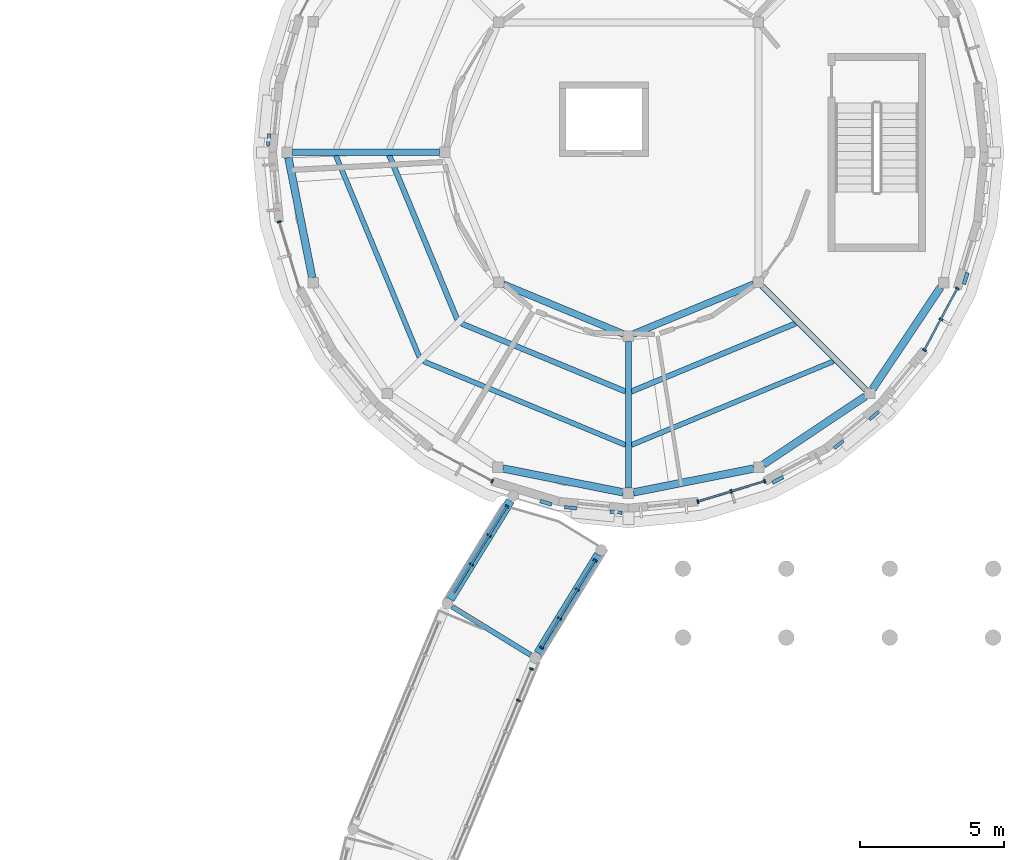
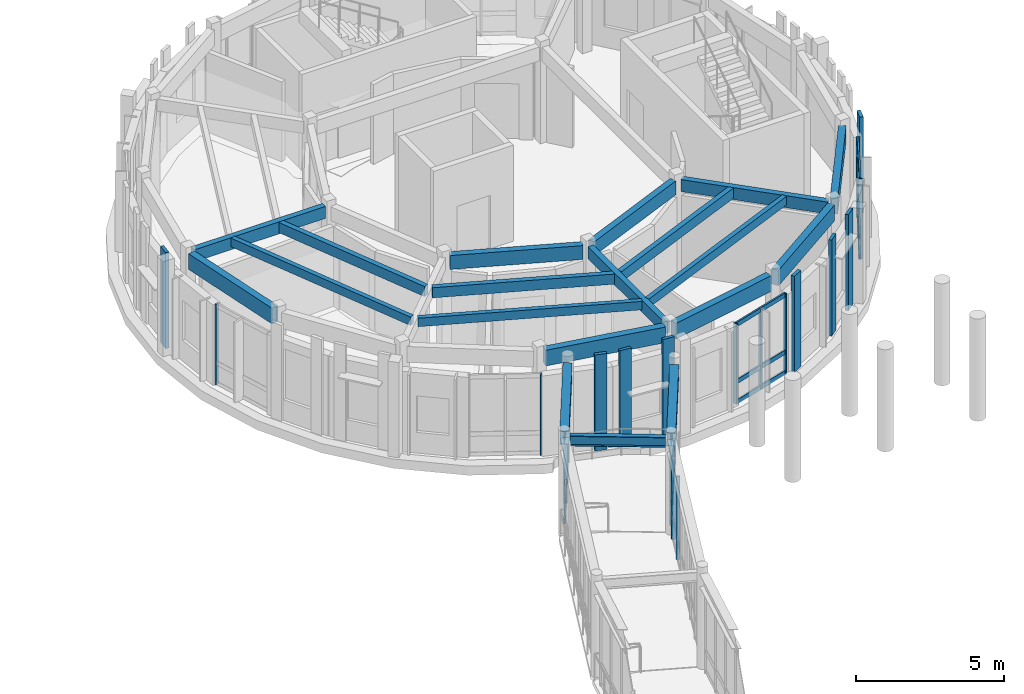
# One storey, part 28 of 80: 37 members, 19 beams, 7 elements without a shape of their own.
"""IFC4 building model written with IfcOpenShell, lengths in metres."""

from ifc_helpers import new_model, si_unit, direction, frame, origin, origin_2d, place, context, subcontext, project, spatial, rectangle, i_section, extrude, material, layer, layer_set, material_profile, profile_set, type_object, element, aggregate, save


model = new_model("IFC4")

# Units and contexts
model_context = context("Model", 3, precision=1e-05, world=origin(), true_north=direction((0.0, 1.0)))
body_context = subcontext(model_context, "Body", "Model", "MODEL_VIEW")
ifc_project = project(units=[si_unit("LENGTHUNIT", "METRE"), si_unit("AREAUNIT", "SQUARE_METRE"), si_unit("VOLUMEUNIT", "CUBIC_METRE"), si_unit("PLANEANGLEUNIT", "RADIAN"), si_unit("MASSUNIT", "GRAM", prefix="KILO")], contexts=[model_context])

# Site, building, storey
site_placement = place(None, origin())
site = spatial("IfcSite", under=ifc_project, at=site_placement, CompositionType="ELEMENT")
building_placement = place(site_placement, origin())
building = spatial("IfcBuilding", under=site, at=building_placement, Name="Aldenvaro Health Centre", CompositionType="ELEMENT")
storey_placement = place(building_placement, frame((0.0, 0.0, 4.550048828125)))
storey = spatial("IfcBuildingStorey", under=building, at=storey_placement, Name="L01", CompositionType="ELEMENT", Elevation=4.550048828125)

# Beams
ifc_material_1 = material(Name="Glulam GL28h", Category="wood")
ifc_material_profile_1 = material_profile(ifc_material_1, rectangle(XDim=0.175048828125, YDim=0.35009765625, at=origin_2d()), Name="GL 175x350", Category="wood")
ifc_profile_set_1 = profile_set([ifc_material_profile_1], Name="Glulam GL28h")
beam_type_1 = type_object("IfcBeamType", Name="BM-GL-350", PredefinedType="JOIST", material=ifc_profile_set_1)
for number, where, z_axis, x_axis, name in (
    (1, (144.304931640625, 99.40087890625, 3.780029296875), (0.382732904244, -0.923859039036, 0.0), (0.923859039036, 0.382732904244, 0.0), "D2 L01 secondary joist 03.2"),
    (2, (147.362060546875, 92.220947265625, 3.780029296875), (0.923859039036, -0.382732904244, 0.0), (0.382732904244, 0.923859039036, 0.0), "D2 L01 secondary joist 04.2"),
    (3, (154.59912109375, 89.304931640625, 3.780029296875), (0.923859039036, 0.382732904244, 0.0), (-0.382732904244, 0.923859039036, 0.0), "D2 L01 secondary joist 05.2"),
):
    element("IfcBeam", number, at=place(storey_placement, frame(where, z_axis=z_axis, x_axis=x_axis)), inside=storey, type_object=beam_type_1, Name=name, PredefinedType="JOIST", context=body_context, shape_type="SweptSolid", body=[
        extrude(rectangle(XDim=0.175048828125, YDim=0.35009765625, at=origin_2d()), origin(), (0.0, 0.0, 1.0), 7.618896484375),
    ])
ifc_material_profile_2 = material_profile(ifc_material_1, rectangle(XDim=0.18994140625, YDim=0.41796875, at=origin_2d()), Name="GL 190x418", Category="wood")
ifc_profile_set_2 = profile_set([ifc_material_profile_2], Name="Glulam GL28h")
beam_type_2 = type_object("IfcBeamType", Name="BM-GL-418", PredefinedType="JOIST", material=ifc_profile_set_2)
for number, where, z_axis, x_axis, name in (
    (4, (146.16796875, 99.40087890625, 3.745849609375), (0.382820589001, -0.923822708444, 0.0), (0.923822708444, 0.382820589001, 0.0), "D2 L01 secondary joist 03.1"),
    (5, (148.678955078125, 93.5390625, 3.745849609375), (0.923822708444, -0.382820589001, 0.0), (0.382820589001, 0.923822708444, 0.0), "D2 L01 secondary joist 04.1"),
    (6, (154.59912109375, 91.16796875, 3.745849609375), (0.923822708444, 0.382820589001, 0.0), (-0.382820589001, 0.923822708444, 0.0), "D2 L01 secondary joist 05.1"),
):
    element("IfcBeam", number, at=place(storey_placement, frame(where, z_axis=z_axis, x_axis=x_axis)), inside=storey, type_object=beam_type_2, Name=name, PredefinedType="JOIST", context=body_context, shape_type="SweptSolid", body=[
        extrude(rectangle(XDim=0.18994140625, YDim=0.41796875, at=origin_2d()), origin(), (0.0, 0.0, 1.0), 6.19384765625),
    ])
ifc_material_profile_3 = material_profile(ifc_material_1, rectangle(XDim=0.215087890625, YDim=0.493896484375, at=origin_2d()), Name="GL 215x494", Category="wood")
ifc_profile_set_3 = profile_set([ifc_material_profile_3], Name="Glulam GL28h")
beam_type_3 = type_object("IfcBeamType", Name="BM-GL-494", PredefinedType="BEAM", material=ifc_profile_set_3)
for number, where, z_axis, x_axis, name in (
    (7, (147.9169921875, 99.5, 3.7080078125), (-1.0, 0.0, 0.0), (0.0, -1.0, 0.0), "D2 L01 radial beam 03"),
    (8, (154.5, 92.9169921875, 3.7080078125), (0.0, -1.0, 0.0), (1.0, 0.0, 0.0), "D2 L01 radial beam 05"),
):
    element("IfcBeam", number, at=place(storey_placement, frame(where, z_axis=z_axis, x_axis=x_axis)), inside=storey, type_object=beam_type_3, Name=name, PredefinedType="BEAM", context=body_context, shape_type="SweptSolid", body=[
        extrude(rectangle(XDim=0.215087890625, YDim=0.493896484375, at=origin_2d()), origin(), (0.0, 0.0, 1.0), 5.114013671875),
    ])
beam_1_placement = place(storey_placement, frame((159.154052734375, 94.845947265625, 3.7080078125), z_axis=(0.707106781187, -0.707106781187, 0.0), x_axis=(0.707106781187, 0.707106781187, 0.0)))
element("IfcBeam", 9, at=beam_1_placement, inside=storey, type_object=beam_type_3, Name="D2 L01 radial beam 06", PredefinedType="BEAM", context=body_context, shape_type="SweptSolid", body=[
    extrude(rectangle(XDim=0.215087890625, YDim=0.493896484375, at=origin_2d()), origin(), (0.0, 0.0, 1.0), 5.115234375),
])
ifc_material_profile_4 = material_profile(ifc_material_1, rectangle(XDim=0.239990234375, YDim=0.570068359375, at=origin_2d()), Name="GL 240x570", Category="wood")
ifc_profile_set_4 = profile_set([ifc_material_profile_4], Name="Glulam GL28h")
beam_type_4 = type_object("IfcBeamType", Name="BM-GL-570", PredefinedType="BEAM", material=ifc_profile_set_4)
for number, where, z_axis, x_axis, name in (
    (10, (150.14404296875, 94.905029296875, 3.669921875), (0.923817864667, -0.382832277795, 0.0), (0.382832277795, 0.923817864667, 0.0), "D2 L01 inner ring beam 04"),
    (11, (154.6689453125, 93.169921875, 3.669921875), (0.923817864667, 0.382832277795, 0.0), (-0.382832277795, 0.923817864667, 0.0), "D2 L01 inner ring beam 05"),
):
    element("IfcBeam", number, at=place(storey_placement, frame(where, z_axis=z_axis, x_axis=x_axis)), inside=storey, type_object=beam_type_4, Name=name, PredefinedType="BEAM", context=body_context, shape_type="SweptSolid", body=[
        extrude(rectangle(XDim=0.239990234375, YDim=0.570068359375, at=origin_2d()), origin(), (0.0, 0.0, 1.0), 4.5322265625),
    ])
ifc_material_profile_5 = material_profile(ifc_material_1, rectangle(XDim=0.264892578125, YDim=0.64599609375, at=origin_2d()), Name="GL 265x646", Category="wood")
ifc_profile_set_5 = profile_set([ifc_material_profile_5], Name="Glulam GL28h")
beam_type_5 = type_object("IfcBeamType", Name="BM-GL-646", PredefinedType="SPANDREL", material=ifc_profile_set_5)
for number, where, z_axis, x_axis, name in (
    (12, (142.656005859375, 99.321044921875, 3.6318359375), (0.19486245827, -0.980830577805, 0.0), (0.980830577805, 0.19486245827, 0.0), "D2 L01 perimeter spandrel 09"),
    (13, (150.133056640625, 88.488037109375, 3.6318359375), (0.980830577805, -0.19486245827, 0.0), (0.19486245827, 0.980830577805, 0.0), "D2 L01 perimeter spandrel 12"),
    (14, (154.678955078125, 87.656005859375, 3.6318359375), (0.980830577805, 0.19486245827, 0.0), (-0.19486245827, 0.980830577805, 0.0), "D2 L01 perimeter spandrel 13"),
):
    element("IfcBeam", number, at=place(storey_placement, frame(where, z_axis=z_axis, x_axis=x_axis)), inside=storey, type_object=beam_type_5, Name=name, PredefinedType="SPANDREL", context=body_context, shape_type="SweptSolid", body=[
        extrude(rectangle(XDim=0.264892578125, YDim=0.64599609375, at=origin_2d()), origin(), (0.0, 0.0, 1.0), 4.269775390625),
    ])
for number, where, z_axis, x_axis, name in (
    (15, (159.197998046875, 88.625, 3.6318359375), (0.831257911222, 0.555886935474, 0.0), (-0.555886935474, 0.831257911222, 0.0), "D2 L01 perimeter spandrel 14"),
    (16, (163.0009765625, 91.251953125, 3.6318359375), (0.555886935474, 0.831257911222, 0.0), (-0.831257911222, 0.555886935474, 0.0), "D2 L01 perimeter spandrel 15"),
):
    element("IfcBeam", number, at=place(storey_placement, frame(where, z_axis=z_axis, x_axis=x_axis)), inside=storey, type_object=beam_type_5, Name=name, PredefinedType="SPANDREL", context=body_context, shape_type="SweptSolid", body=[
        extrude(rectangle(XDim=0.264892578125, YDim=0.64599609375, at=origin_2d()), origin(), (0.0, 0.0, 1.0), 4.270751953125),
    ])
ifc_material_2 = material(Name="Steel ASTM A992 Grade 50", Category="steel")
ifc_material_profile_6 = material_profile(ifc_material_2, i_section(OverallWidth=0.180908203125, OverallDepth=0.4169921875, WebThickness=0.010986328125, FlangeThickness=0.018310546875, at=origin_2d()), Name="W16X57", Category="steel")
ifc_profile_set_6 = profile_set([ifc_material_profile_6], Name="Steel ASTM A992 Grade 50")
beam_type_6 = type_object("IfcBeamType", Name="BM-ST-W16E", PredefinedType="JOIST", material=ifc_profile_set_6)
beam_2_placement = place(storey_placement, frame((151.094970703125, 81.992919921875, 3.740966796875), z_axis=(-0.852443263716, 0.522819741541, 0.0), x_axis=(-0.522819741541, -0.852443263716, 0.0)))
element("IfcBeam", 17, at=beam_2_placement, inside=storey, type_object=beam_type_6, Name="East Curved Garden Colonnade Arc 1 L01 cross beam 2", PredefinedType="JOIST", context=body_context, shape_type="SweptSolid", body=[
    extrude(i_section(OverallWidth=0.180908203125, OverallDepth=0.4169921875, WebThickness=0.010986328125, FlangeThickness=0.018310546875, at=origin_2d()), origin(), (0.0, 0.0, 1.0), 3.22119140625),
])
ifc_material_profile_7 = material_profile(ifc_material_2, i_section(OverallWidth=0.31201171875, OverallDepth=0.54296875, WebThickness=0.0126953125, FlangeThickness=0.020263671875, at=origin_2d()), Name="W21X101", Category="steel")
ifc_profile_set_7 = profile_set([ifc_material_profile_7], Name="Steel ASTM A992 Grade 50")
beam_type_7 = type_object("IfcBeamType", Name="BM-ST-W21E", PredefinedType="BEAM", material=ifc_profile_set_7)
beam_3_placement = place(storey_placement, frame((153.458984375, 85.487060546875, 3.678955078125), z_axis=(-0.522573438418, -0.852594277168, 0.0), x_axis=(0.852594277168, -0.522573438418, 0.0)))
element("IfcBeam", 18, at=beam_3_placement, inside=storey, type_object=beam_type_7, Name="East Curved Garden Colonnade Arc 1 L01 girder L-1", PredefinedType="BEAM", context=body_context, shape_type="SweptSolid", body=[
    extrude(i_section(OverallWidth=0.31201171875, OverallDepth=0.54296875, WebThickness=0.0126953125, FlangeThickness=0.020263671875, at=origin_2d()), origin(), (0.0, 0.0, 1.0), 4.0244140625),
])
beam_4_placement = place(storey_placement, frame((150.388916015625, 87.367919921875, 3.678955078125), z_axis=(-0.522708612502, -0.852511411312, 0.0), x_axis=(0.852511411312, -0.522708612502, 0.0)))
element("IfcBeam", 19, at=beam_4_placement, inside=storey, type_object=beam_type_7, Name="East Curved Garden Colonnade Arc 1 L01 girder R-1", PredefinedType="BEAM", context=body_context, shape_type="SweptSolid", body=[
    extrude(i_section(OverallWidth=0.31201171875, OverallDepth=0.54296875, WebThickness=0.0126953125, FlangeThickness=0.020263671875, at=origin_2d()), origin(), (0.0, 0.0, 1.0), 4.0234375),
])

# Curtain wall, members
ifc_material_3 = material(Name="Anodised Aluminium 6063-T6", Category="aluminium")
ifc_layer_1 = layer(ifc_material_3, 0.195068359375, Name="Anodised Aluminium 6063-T6", Category="aluminium")
ifc_layer_set_1 = layer_set([ifc_layer_1], Name="Anodised Aluminium 6063-T6")
curtain_wall_type_1 = type_object("IfcCurtainWallType", Name="CW-CLN-02", PredefinedType="NOTDEFINED", material=ifc_layer_set_1)
curtain_wall_1_placement = place(storey_placement, origin())
curtain_wall_1 = element("IfcCurtainWall", 20, at=curtain_wall_1_placement, inside=storey, type_object=curtain_wall_type_1, Name="D2 L01 curtain wall bay 03", PredefinedType="NOTDEFINED")
ifc_material_profile_8 = material_profile(ifc_material_3, rectangle(XDim=0.06005859375, YDim=0.135009765625, at=origin_2d()), Name="ALU 60x135", Category="aluminium")
ifc_profile_set_8 = profile_set([ifc_material_profile_8], Name="Anodised Aluminium 6063-T6")
member_type_1 = type_object("IfcMemberType", Name="CWM-150", PredefinedType="MULLION", material=ifc_profile_set_8)
member_1_placement = place(storey_placement, frame((165.9560546875, 94.7548828125, 0.0), z_axis=(0.0, 0.0, 1.0), x_axis=(-0.471399336159, -0.881919874971, 0.0)))
member_1 = element("IfcMember", 21, at=member_1_placement, type_object=member_type_1, Name="D2 L01 curtain wall bay 03 mullion 1", PredefinedType="MULLION", context=body_context, shape_type="SweptSolid", body=[
    extrude(rectangle(XDim=0.06005859375, YDim=0.135009765625, at=origin_2d()), origin(), (0.0, 0.0, 1.0), 3.308837890625),
])
member_2_placement = place(storey_placement, frame((165.383056640625, 93.68310546875, 0.0), z_axis=(0.0, 0.0, 1.0), x_axis=(-0.471399336159, -0.881919874971, 0.0)))
member_2 = element("IfcMember", 22, at=member_2_placement, type_object=member_type_1, Name="D2 L01 curtain wall bay 03 mullion 2", PredefinedType="MULLION", context=body_context, shape_type="SweptSolid", body=[
    extrude(rectangle(XDim=0.06005859375, YDim=0.135009765625, at=origin_2d()), origin(), (0.0, 0.0, 1.0), 3.308837890625),
])
member_3_placement = place(storey_placement, frame((164.81005859375, 92.611083984375, 0.0), z_axis=(0.0, 0.0, 1.0), x_axis=(-0.471399336159, -0.881919874971, 0.0)))
member_3 = element("IfcMember", 23, at=member_3_placement, type_object=member_type_1, Name="D2 L01 curtain wall bay 03 mullion 3", PredefinedType="MULLION", context=body_context, shape_type="SweptSolid", body=[
    extrude(rectangle(XDim=0.06005859375, YDim=0.135009765625, at=origin_2d()), origin(), (0.0, 0.0, 1.0), 3.308837890625),
])

curtain_wall_2_placement = place(storey_placement, origin())
curtain_wall_2 = element("IfcCurtainWall", 24, at=curtain_wall_2_placement, inside=storey, type_object=curtain_wall_type_1, Name="D2 L01 curtain wall bay 07", PredefinedType="NOTDEFINED")
member_4_placement = place(storey_placement, frame((159.2451171875, 88.0439453125, 0.0), z_axis=(0.0, 0.0, 1.0), x_axis=(-0.956892827403, -0.290441245116, 0.0)))
member_4 = element("IfcMember", 25, at=member_4_placement, type_object=member_type_1, Name="D2 L01 curtain wall bay 07 mullion 1", PredefinedType="MULLION", context=body_context, shape_type="SweptSolid", body=[
    extrude(rectangle(XDim=0.06005859375, YDim=0.135009765625, at=origin_2d()), origin(), (0.0, 0.0, 1.0), 3.308837890625),
])
member_5_placement = place(storey_placement, frame((158.08203125, 87.69091796875, 0.0), z_axis=(0.0, 0.0, 1.0), x_axis=(-0.956892827403, -0.290441245116, 0.0)))
member_5 = element("IfcMember", 26, at=member_5_placement, type_object=member_type_1, Name="D2 L01 curtain wall bay 07 mullion 2", PredefinedType="MULLION", context=body_context, shape_type="SweptSolid", body=[
    extrude(rectangle(XDim=0.06005859375, YDim=0.135009765625, at=origin_2d()), origin(), (0.0, 0.0, 1.0), 3.308837890625),
])
member_6_placement = place(storey_placement, frame((156.9189453125, 87.337890625, 0.0), z_axis=(0.0, 0.0, 1.0), x_axis=(-0.956892827403, -0.290441245116, 0.0)))
member_6 = element("IfcMember", 27, at=member_6_placement, type_object=member_type_1, Name="D2 L01 curtain wall bay 07 mullion 3", PredefinedType="MULLION", context=body_context, shape_type="SweptSolid", body=[
    extrude(rectangle(XDim=0.06005859375, YDim=0.135009765625, at=origin_2d()), origin(), (0.0, 0.0, 1.0), 3.308837890625),
])

# Curtain wall, member
curtain_wall_3_placement = place(storey_placement, origin())
curtain_wall_3 = element("IfcCurtainWall", 28, at=curtain_wall_3_placement, inside=storey, type_object=curtain_wall_type_1, Name="D2 L01 curtain wall bay 11", PredefinedType="NOTDEFINED")
member_7_placement = place(storey_placement, frame((149.7548828125, 88.0439453125, 0.0), z_axis=(0.0, 0.0, 1.0), x_axis=(-0.881919874971, 0.471399336159, 0.0)))
member_7 = element("IfcMember", 29, at=member_7_placement, type_object=member_type_1, Name="D2 L01 curtain wall bay 11 mullion 1", PredefinedType="MULLION", context=body_context, shape_type="SweptSolid", body=[
    extrude(rectangle(XDim=0.06005859375, YDim=0.135009765625, at=origin_2d()), origin(), (0.0, 0.0, 1.0), 3.308837890625),
])
aggregate(curtain_wall_3, [member_7])

curtain_wall_4_placement = place(storey_placement, origin())
curtain_wall_4 = element("IfcCurtainWall", 30, at=curtain_wall_4_placement, inside=storey, type_object=curtain_wall_type_1, Name="D2 L01 curtain wall bay 15", PredefinedType="NOTDEFINED")
member_8_placement = place(storey_placement, frame((142.337890625, 97.0810546875, 0.0), z_axis=(0.0, 0.0, 1.0), x_axis=(-0.290441245116, 0.956892827403, 0.0)))
member_8 = element("IfcMember", 31, at=member_8_placement, type_object=member_type_1, Name="D2 L01 curtain wall bay 15 mullion 3", PredefinedType="MULLION", context=body_context, shape_type="SweptSolid", body=[
    extrude(rectangle(XDim=0.06005859375, YDim=0.135009765625, at=origin_2d()), origin(), (0.0, 0.0, 1.0), 3.308837890625),
])
aggregate(curtain_wall_4, [member_8])

# Curtain wall, members
ifc_layer_2 = layer(ifc_material_3, 0.2099609375, Name="Anodised Aluminium 6063-T6", Category="aluminium")
ifc_layer_set_2 = layer_set([ifc_layer_2], Name="Anodised Aluminium 6063-T6")
curtain_wall_type_2 = type_object("IfcCurtainWallType", Name="CW-BRG-03", PredefinedType="NOTDEFINED", material=ifc_layer_set_2)
curtain_wall_5_placement = place(storey_placement, origin())
curtain_wall_5 = element("IfcCurtainWall", 32, at=curtain_wall_5_placement, inside=storey, type_object=curtain_wall_type_2, Name="East Curved Garden Colonnade Arc 1 L01 glazed link wall L-1.1", PredefinedType="NOTDEFINED")
member_9_placement = place(storey_placement, frame((153.337890625, 85.291015625, 0.0), z_axis=(0.0, 0.0, 1.0), x_axis=(-0.522437044215, -0.852677861113, 0.0)))
member_9 = element("IfcMember", 33, at=member_9_placement, type_object=member_type_1, Name="East Curved Garden Colonnade Arc 1 L01 glazed link wall L-1.1 mullion 1", PredefinedType="MULLION", context=body_context, shape_type="SweptSolid", body=[
    extrude(rectangle(XDim=0.06005859375, YDim=0.135009765625, at=origin_2d()), origin(), (0.0, 0.0, 1.0), 3.409912109375),
])
member_10_placement = place(storey_placement, frame((152.717041015625, 84.278076171875, 0.0), z_axis=(0.0, 0.0, 1.0), x_axis=(-0.522437044215, -0.852677861113, 0.0)))
member_10 = element("IfcMember", 34, at=member_10_placement, type_object=member_type_1, Name="East Curved Garden Colonnade Arc 1 L01 glazed link wall L-1.1 mullion 2", PredefinedType="MULLION", context=body_context, shape_type="SweptSolid", body=[
    extrude(rectangle(XDim=0.06005859375, YDim=0.135009765625, at=origin_2d()), origin(), (0.0, 0.0, 1.0), 3.409912109375),
])
member_11_placement = place(storey_placement, frame((152.096923828125, 83.264892578125, 0.0), z_axis=(0.0, 0.0, 1.0), x_axis=(-0.522437044215, -0.852677861113, 0.0)))
member_11 = element("IfcMember", 35, at=member_11_placement, type_object=member_type_1, Name="East Curved Garden Colonnade Arc 1 L01 glazed link wall L-1.1 mullion 3", PredefinedType="MULLION", context=body_context, shape_type="SweptSolid", body=[
    extrude(rectangle(XDim=0.06005859375, YDim=0.135009765625, at=origin_2d()), origin(), (0.0, 0.0, 1.0), 3.409912109375),
])
member_12_placement = place(storey_placement, frame((151.47607421875, 82.251953125, 0.0), z_axis=(0.0, 0.0, 1.0), x_axis=(-0.522437044215, -0.852677861113, 0.0)))
member_12 = element("IfcMember", 36, at=member_12_placement, type_object=member_type_1, Name="East Curved Garden Colonnade Arc 1 L01 glazed link wall L-1.1 mullion 4", PredefinedType="MULLION", context=body_context, shape_type="SweptSolid", body=[
    extrude(rectangle(XDim=0.06005859375, YDim=0.135009765625, at=origin_2d()), origin(), (0.0, 0.0, 1.0), 3.409912109375),
])

curtain_wall_6_placement = place(storey_placement, origin())
curtain_wall_6 = element("IfcCurtainWall", 37, at=curtain_wall_6_placement, inside=storey, type_object=curtain_wall_type_2, Name="East Curved Garden Colonnade Arc 1 L01 glazed link wall R-1.1", PredefinedType="NOTDEFINED")
member_13_placement = place(storey_placement, frame((150.26904296875, 87.172119140625, 0.0), z_axis=(0.0, 0.0, 1.0), x_axis=(-0.522562057926, -0.852601252413, 0.0)))
member_13 = element("IfcMember", 38, at=member_13_placement, type_object=member_type_1, Name="East Curved Garden Colonnade Arc 1 L01 glazed link wall R-1.1 mullion 1", PredefinedType="MULLION", context=body_context, shape_type="SweptSolid", body=[
    extrude(rectangle(XDim=0.06005859375, YDim=0.135009765625, at=origin_2d()), origin(), (0.0, 0.0, 1.0), 3.409912109375),
])
member_14_placement = place(storey_placement, frame((149.64794921875, 86.158935546875, 0.0), z_axis=(0.0, 0.0, 1.0), x_axis=(-0.522562057926, -0.852601252413, 0.0)))
member_14 = element("IfcMember", 39, at=member_14_placement, type_object=member_type_1, Name="East Curved Garden Colonnade Arc 1 L01 glazed link wall R-1.1 mullion 2", PredefinedType="MULLION", context=body_context, shape_type="SweptSolid", body=[
    extrude(rectangle(XDim=0.06005859375, YDim=0.135009765625, at=origin_2d()), origin(), (0.0, 0.0, 1.0), 3.409912109375),
])
member_15_placement = place(storey_placement, frame((149.028076171875, 85.14697265625, 0.0), z_axis=(0.0, 0.0, 1.0), x_axis=(-0.522562057926, -0.852601252413, 0.0)))
member_15 = element("IfcMember", 40, at=member_15_placement, type_object=member_type_1, Name="East Curved Garden Colonnade Arc 1 L01 glazed link wall R-1.1 mullion 3", PredefinedType="MULLION", context=body_context, shape_type="SweptSolid", body=[
    extrude(rectangle(XDim=0.06005859375, YDim=0.135009765625, at=origin_2d()), origin(), (0.0, 0.0, 1.0), 3.409912109375),
])

curtain_wall_7_placement = place(storey_placement, origin())
curtain_wall_7 = element("IfcCurtainWall", 41, at=curtain_wall_7_placement, inside=storey, type_object=curtain_wall_type_2, Name="East Curved Garden Colonnade Arc 2 L01 glazed link wall L-1.1", PredefinedType="NOTDEFINED")
member_16_placement = place(storey_placement, frame((151.12109375, 81.508056640625, 0.0), z_axis=(0.0, 0.0, 1.0), x_axis=(-0.382562426811, -0.923929645369, 0.0)))
member_16 = element("IfcMember", 42, at=member_16_placement, type_object=member_type_1, Name="East Curved Garden Colonnade Arc 2 L01 glazed link wall L-1.1 mullion 1", PredefinedType="MULLION", context=body_context, shape_type="SweptSolid", body=[
    extrude(rectangle(XDim=0.06005859375, YDim=0.135009765625, at=origin_2d()), origin(), (0.0, 0.0, 1.0), 3.409912109375),
])
member_17_placement = place(storey_placement, frame((150.6669921875, 80.409912109375, 0.0), z_axis=(0.0, 0.0, 1.0), x_axis=(-0.382562426811, -0.923929645369, 0.0)))
member_17 = element("IfcMember", 43, at=member_17_placement, type_object=member_type_1, Name="East Curved Garden Colonnade Arc 2 L01 glazed link wall L-1.1 mullion 2", PredefinedType="MULLION", context=body_context, shape_type="SweptSolid", body=[
    extrude(rectangle(XDim=0.06005859375, YDim=0.135009765625, at=origin_2d()), origin(), (0.0, 0.0, 1.0), 3.409912109375),
])
aggregate(curtain_wall_7, [member_16, member_17])

# Member
ifc_material_profile_9 = material_profile(ifc_material_3, rectangle(XDim=0.06494140625, YDim=0.179931640625, at=origin_2d()), Name="ALU 65x180", Category="aluminium")
ifc_profile_set_9 = profile_set([ifc_material_profile_9], Name="Anodised Aluminium 6063-T6")
member_type_2 = type_object("IfcMemberType", Name="CWT-150", PredefinedType="USERDEFINED", material=ifc_profile_set_9)
member_18_placement = place(storey_placement, frame((165.9560546875, 94.7548828125, 0.06005859375), z_axis=(-0.471432490996, -0.881902152415, 0.0), x_axis=(0.881902152415, -0.471432490996, 0.0)))
member_18 = element("IfcMember", 44, at=member_18_placement, type_object=member_type_2, Name="D2 L01 curtain wall bay 03 transom 1", ObjectType="TRANSOM", PredefinedType="USERDEFINED", context=body_context, shape_type="SweptSolid", body=[
    extrude(rectangle(XDim=0.06494140625, YDim=0.179931640625, at=origin_2d()), origin(), (0.0, 0.0, 1.0), 2.430908203125),
])

member_19_placement = place(storey_placement, frame((165.9560546875, 94.7548828125, 0.89990234375), z_axis=(-0.471432490996, -0.881902152415, 0.0), x_axis=(0.881902152415, -0.471432490996, 0.0)))
member_19 = element("IfcMember", 45, at=member_19_placement, type_object=member_type_2, Name="D2 L01 curtain wall bay 03 transom 2", ObjectType="TRANSOM", PredefinedType="USERDEFINED", context=body_context, shape_type="SweptSolid", body=[
    extrude(rectangle(XDim=0.06494140625, YDim=0.179931640625, at=origin_2d()), origin(), (0.0, 0.0, 1.0), 2.430908203125),
])

member_20_placement = place(storey_placement, frame((165.9560546875, 94.7548828125, 3.2490234375), z_axis=(-0.471432490996, -0.881902152415, 0.0), x_axis=(0.881902152415, -0.471432490996, 0.0)))
member_20 = element("IfcMember", 46, at=member_20_placement, type_object=member_type_2, Name="D2 L01 curtain wall bay 03 transom 3", ObjectType="TRANSOM", PredefinedType="USERDEFINED", context=body_context, shape_type="SweptSolid", body=[
    extrude(rectangle(XDim=0.06494140625, YDim=0.179931640625, at=origin_2d()), origin(), (0.0, 0.0, 1.0), 2.430908203125),
])

aggregate(curtain_wall_1, [member_1, member_2, member_3, member_18, member_19, member_20])

member_21_placement = place(storey_placement, frame((159.2451171875, 88.0439453125, 0.06005859375), z_axis=(-0.956892539407, -0.290442193951, 0.0), x_axis=(0.290442193951, -0.956892539407, 0.0)))
member_21 = element("IfcMember", 47, at=member_21_placement, type_object=member_type_2, Name="D2 L01 curtain wall bay 07 transom 1", ObjectType="TRANSOM", PredefinedType="USERDEFINED", context=body_context, shape_type="SweptSolid", body=[
    extrude(rectangle(XDim=0.06494140625, YDim=0.179931640625, at=origin_2d()), origin(), (0.0, 0.0, 1.0), 2.430908203125),
])

member_22_placement = place(storey_placement, frame((159.2451171875, 88.0439453125, 0.89990234375), z_axis=(-0.956892539407, -0.290442193951, 0.0), x_axis=(0.290442193951, -0.956892539407, 0.0)))
member_22 = element("IfcMember", 48, at=member_22_placement, type_object=member_type_2, Name="D2 L01 curtain wall bay 07 transom 2", ObjectType="TRANSOM", PredefinedType="USERDEFINED", context=body_context, shape_type="SweptSolid", body=[
    extrude(rectangle(XDim=0.06494140625, YDim=0.179931640625, at=origin_2d()), origin(), (0.0, 0.0, 1.0), 2.430908203125),
])

member_23_placement = place(storey_placement, frame((159.2451171875, 88.0439453125, 3.2490234375), z_axis=(-0.956892539407, -0.290442193951, 0.0), x_axis=(0.290442193951, -0.956892539407, 0.0)))
member_23 = element("IfcMember", 49, at=member_23_placement, type_object=member_type_2, Name="D2 L01 curtain wall bay 07 transom 3", ObjectType="TRANSOM", PredefinedType="USERDEFINED", context=body_context, shape_type="SweptSolid", body=[
    extrude(rectangle(XDim=0.06494140625, YDim=0.179931640625, at=origin_2d()), origin(), (0.0, 0.0, 1.0), 2.430908203125),
])

aggregate(curtain_wall_2, [member_4, member_5, member_6, member_21, member_22, member_23])

member_24_placement = place(storey_placement, frame((153.337890625, 85.291015625, 0.06005859375), z_axis=(-0.522391778489, -0.852705593841, 0.0), x_axis=(0.852705593841, -0.522391778489, 0.0)))
member_24 = element("IfcMember", 50, at=member_24_placement, type_object=member_type_2, Name="East Curved Garden Colonnade Arc 1 L01 glazed link wall L-1.1 transom 1", ObjectType="TRANSOM", PredefinedType="USERDEFINED", context=body_context, shape_type="SweptSolid", body=[
    extrude(rectangle(XDim=0.06494140625, YDim=0.179931640625, at=origin_2d()), origin(), (0.0, 0.0, 1.0), 3.56396484375),
])

member_25_placement = place(storey_placement, frame((153.337890625, 85.291015625, 0.89990234375), z_axis=(-0.522391778489, -0.852705593841, 0.0), x_axis=(0.852705593841, -0.522391778489, 0.0)))
member_25 = element("IfcMember", 51, at=member_25_placement, type_object=member_type_2, Name="East Curved Garden Colonnade Arc 1 L01 glazed link wall L-1.1 transom 2", ObjectType="TRANSOM", PredefinedType="USERDEFINED", context=body_context, shape_type="SweptSolid", body=[
    extrude(rectangle(XDim=0.06494140625, YDim=0.179931640625, at=origin_2d()), origin(), (0.0, 0.0, 1.0), 3.56396484375),
])

member_26_placement = place(storey_placement, frame((153.337890625, 85.291015625, 3.349853515625), z_axis=(-0.522391778489, -0.852705593841, 0.0), x_axis=(0.852705593841, -0.522391778489, 0.0)))
member_26 = element("IfcMember", 52, at=member_26_placement, type_object=member_type_2, Name="East Curved Garden Colonnade Arc 1 L01 glazed link wall L-1.1 transom 3", ObjectType="TRANSOM", PredefinedType="USERDEFINED", context=body_context, shape_type="SweptSolid", body=[
    extrude(rectangle(XDim=0.06494140625, YDim=0.179931640625, at=origin_2d()), origin(), (0.0, 0.0, 1.0), 3.56396484375),
])

aggregate(curtain_wall_5, [member_9, member_10, member_11, member_12, member_24, member_25, member_26])

member_27_placement = place(storey_placement, frame((150.26904296875, 87.172119140625, 0.06005859375), z_axis=(-0.522563664558, -0.852600267701, 0.0), x_axis=(0.852600267701, -0.522563664558, 0.0)))
member_27 = element("IfcMember", 53, at=member_27_placement, type_object=member_type_2, Name="East Curved Garden Colonnade Arc 1 L01 glazed link wall R-1.1 transom 1", ObjectType="TRANSOM", PredefinedType="USERDEFINED", context=body_context, shape_type="SweptSolid", body=[
    extrude(rectangle(XDim=0.06494140625, YDim=0.179931640625, at=origin_2d()), origin(), (0.0, 0.0, 1.0), 3.563232421875),
])

member_28_placement = place(storey_placement, frame((150.26904296875, 87.172119140625, 0.89990234375), z_axis=(-0.522563664558, -0.852600267701, 0.0), x_axis=(0.852600267701, -0.522563664558, 0.0)))
member_28 = element("IfcMember", 54, at=member_28_placement, type_object=member_type_2, Name="East Curved Garden Colonnade Arc 1 L01 glazed link wall R-1.1 transom 2", ObjectType="TRANSOM", PredefinedType="USERDEFINED", context=body_context, shape_type="SweptSolid", body=[
    extrude(rectangle(XDim=0.06494140625, YDim=0.179931640625, at=origin_2d()), origin(), (0.0, 0.0, 1.0), 3.563232421875),
])

member_29_placement = place(storey_placement, frame((150.26904296875, 87.172119140625, 3.349853515625), z_axis=(-0.522563664558, -0.852600267701, 0.0), x_axis=(0.852600267701, -0.522563664558, 0.0)))
member_29 = element("IfcMember", 55, at=member_29_placement, type_object=member_type_2, Name="East Curved Garden Colonnade Arc 1 L01 glazed link wall R-1.1 transom 3", ObjectType="TRANSOM", PredefinedType="USERDEFINED", context=body_context, shape_type="SweptSolid", body=[
    extrude(rectangle(XDim=0.06494140625, YDim=0.179931640625, at=origin_2d()), origin(), (0.0, 0.0, 1.0), 3.563232421875),
])

aggregate(curtain_wall_6, [member_13, member_14, member_15, member_27, member_28, member_29])

# Members
ifc_material_profile_10 = material_profile(ifc_material_1, rectangle(XDim=0.114990234375, YDim=0.419921875, at=origin_2d()), Name="GL 115x420", Category="wood")
ifc_profile_set_10 = profile_set([ifc_material_profile_10], Name="Glulam GL28h")
member_type_3 = type_object("IfcMemberType", Name="MEM-SLT-420A", PredefinedType="POST", material=ifc_profile_set_10)
for number, where, z_axis, x_axis, name in (
    (56, (163.053955078125, 90.330078125, 0.0), (0.0, 0.0, 1.0), (0.634379653268, -0.773021639749, 0.0), "D2 L01 vertical timber slat 5.1"),
    (57, (161.824951171875, 89.321044921875, 0.0), (0.0, 0.0, 1.0), (0.634379653268, -0.773021639749, 0.0), "D2 L01 vertical timber slat 5.3"),
    (58, (154.06494140625, 86.967041015625, 0.0), (0.0, 0.0, 1.0), (-0.097914988926, -0.995194782414, 0.0), "D2 L01 vertical timber slat 9.1"),
    (59, (152.48193359375, 87.123046875, 0.0), (0.0, 0.0, 1.0), (-0.097914988926, -0.995194782414, 0.0), "D2 L01 vertical timber slat 9.3"),
    (60, (141.967041015625, 99.93505859375, 0.0), (0.0, 0.0, 1.0), (-0.995194782414, 0.097914988926, 0.0), "D2 L01 vertical timber slat 17.1"),
):
    element("IfcMember", number, at=place(storey_placement, frame(where, z_axis=z_axis, x_axis=x_axis)), inside=storey, type_object=member_type_3, Name=name, PredefinedType="POST", context=body_context, shape_type="SweptSolid", body=[
        extrude(rectangle(XDim=0.114990234375, YDim=0.419921875, at=origin_2d()), origin(), (0.0, 0.0, 1.0), 3.954833984375),
    ])
ifc_material_profile_11 = material_profile(ifc_material_1, rectangle(XDim=0.1298828125, YDim=0.419921875, at=origin_2d()), Name="GL 130x420", Category="wood")
ifc_profile_set_11 = profile_set([ifc_material_profile_11], Name="Glulam GL28h")
member_type_4 = type_object("IfcMemberType", Name="MEM-SLT-420B", PredefinedType="POST", material=ifc_profile_set_11)
for number, where, z_axis, x_axis, name in (
    (61, (166.2451171875, 95.10595703125, 0.0), (0.0, 0.0, 1.0), (0.956892827403, -0.290441245116, 0.0), "D2 L01 vertical timber slat 2.3"),
    (62, (159.697998046875, 88.087890625, 0.0), (0.0, 0.0, 1.0), (0.471399336159, -0.881919874971, 0.0), "D2 L01 vertical timber slat 6.3"),
    (63, (151.6279296875, 87.29296875, 0.0), (0.0, 0.0, 1.0), (-0.290441245116, -0.956892827403, 0.0), "D2 L01 vertical timber slat 10.1"),
):
    element("IfcMember", number, at=place(storey_placement, frame(where, z_axis=z_axis, x_axis=x_axis)), inside=storey, type_object=member_type_4, Name=name, PredefinedType="POST", context=body_context, shape_type="SweptSolid", body=[
        extrude(rectangle(XDim=0.1298828125, YDim=0.419921875, at=origin_2d()), origin(), (0.0, 0.0, 1.0), 3.954833984375),
    ])

save(model, "model.ifc")
